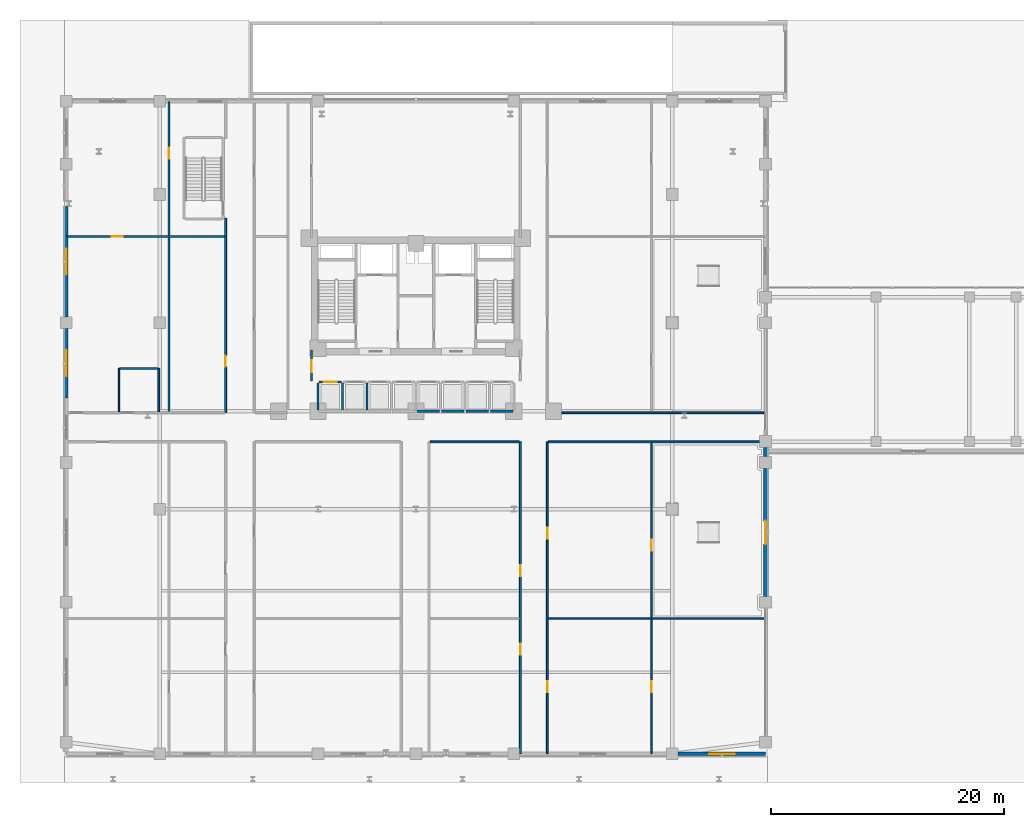
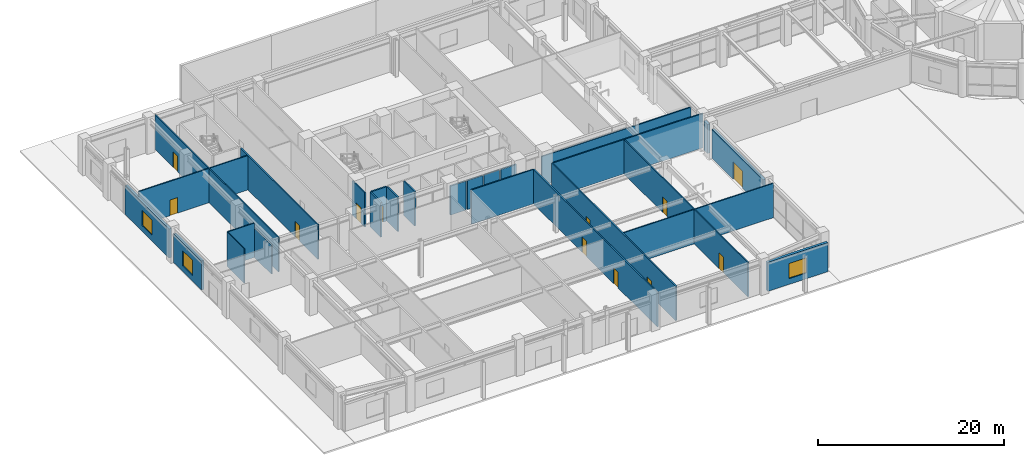
# One storey, part 24 of 40: 27 walls, 12 doors, 3 windows, 15 openings.
"""IFC4 building model written with IfcOpenShell, lengths in metres."""

from ifc_helpers import new_model, si_unit, derived_unit, direction, frame, frame_2d, origin, place, context, subcontext, project, spatial, rectangle, extrude, material, layer, layer_set, type_object, element, fill, save


model = new_model("IFC4")

# Units and contexts
model_context = context("Model", 3, precision=1e-05, world=origin(), true_north=direction((0.0, 1.0)))
body_context = subcontext(model_context, "Body", "Model", "MODEL_VIEW")
ifc_project = project(units=[si_unit("LENGTHUNIT", "METRE"), si_unit("AREAUNIT", "SQUARE_METRE"), si_unit("VOLUMEUNIT", "CUBIC_METRE"), si_unit("PLANEANGLEUNIT", "RADIAN"), si_unit("MASSUNIT", "GRAM", prefix="KILO"), derived_unit("THERMALTRANSMITTANCEUNIT", [(si_unit("POWERUNIT", "WATT"), 1), (si_unit("LENGTHUNIT", "METRE"), -2), (si_unit("THERMODYNAMICTEMPERATUREUNIT", "KELVIN"), -1)])], contexts=[model_context])

# Site, building, storey
site_placement = place(None, origin())
site = spatial("IfcSite", under=ifc_project, at=site_placement, CompositionType="ELEMENT")
building_placement = place(site_placement, origin())
building = spatial("IfcBuilding", under=site, at=building_placement, Name="Korsvarv Bourse and Concert Hall", CompositionType="ELEMENT")
storey_placement = place(building_placement, origin())
storey = spatial("IfcBuildingStorey", under=building, at=storey_placement, Name="L00", CompositionType="ELEMENT", Elevation=0.0)

# Wall, opening, window
ifc_material_1 = material(Name="Precast concrete C45/55 with granite and terracotta", Category="concrete")
ifc_layer_1 = layer(ifc_material_1, 0.320068359375)
ifc_layer_set_1 = layer_set([ifc_layer_1], Name="Precast concrete C45/55 with granite and terracotta")
wall_type_1 = type_object("IfcWallType", Name="WL-EXT-POD", PredefinedType="SOLIDWALL", material=ifc_layer_set_1)
wall_1_placement = place(storey_placement, frame((58.5048828125, 3.0, 0.0), z_axis=(0.0, 0.0, 1.0), x_axis=(1.0, 0.0, 0.0)))
wall_1 = element("IfcWall", 1, at=wall_1_placement, inside=storey, type_object=wall_type_1, Name="L00 terracotta exterior wall EW-L00-S6", PredefinedType="SOLIDWALL", context=body_context, shape_type="SweptSolid", body=[
    extrude(rectangle(XDim=7.4951171875, YDim=0.320068359375, at=frame_2d((3.74755859375, 0.0))), origin(), (0.0, 0.0, 1.0), 3.820068359375),
])
opening_1_placement = place(wall_1_placement, frame((2.6474609375, 0.0, 0.75)))
opening_1 = element("IfcOpeningElement", 2, at=opening_1_placement, cuts=wall_1, Name="Opening W-03", PredefinedType="OPENING", context=body_context, shape_type="SweptSolid", body=[
    extrude(rectangle(XDim=2.199951171875, YDim=2.0, at=frame_2d((1.10009765625, 1.0))), frame((0.0, 0.169921875, 0.0), z_axis=(0.0, -1.0, 0.0), x_axis=(1.0, 0.0, 0.0)), (0.0, 0.0, 1.0), 0.340087890625),
])
ifc_material_2 = material(Name="Thermally broken aluminium frame with triple low-E glass", Category="glass")
window_type = type_object("IfcWindowType", Name="WIN-POD1", PartitioningType="SINGLE_PANEL", PredefinedType="WINDOW", material=ifc_material_2)
window_1_placement = place(opening_1_placement, origin())
window_1 = element("IfcWindow", 3, at=window_1_placement, inside=storey, type_object=window_type, Name="L00 punched facade window W-03", OverallHeight=2.0, OverallWidth=2.199951171875, PartitioningType="SINGLE_PANEL", PredefinedType="WINDOW", context=body_context, shape_type="SweptSolid", body=[
    extrude(rectangle(XDim=2.199951171875, YDim=2.0, at=frame_2d((1.10009765625, 1.0))), frame((0.0, 0.030029296875, 0.0), z_axis=(0.0, -1.0, 0.0), x_axis=(1.0, 0.0, 0.0)), (0.0, 0.0, 1.0), 0.06005859375),
])
fill(opening_1, window_1)

wall_2_placement = place(storey_placement, frame((6.0, 33.5400390625, 0.0), z_axis=(0.0, 0.0, 1.0), x_axis=(0.0, 1.0, 0.0)))
wall_2 = element("IfcWall", 4, at=wall_2_placement, inside=storey, type_object=wall_type_1, Name="L00 terracotta exterior wall EW-L00-W4", PredefinedType="SOLIDWALL", context=body_context, shape_type="SweptSolid", body=[
    extrude(rectangle(XDim=5.955078125, YDim=0.320068359375, at=frame_2d((2.9775390625, 0.0))), origin(), (0.0, 0.0, 1.0), 3.820068359375),
])
opening_2_placement = place(wall_2_placement, frame((1.87744140625, 0.0, 0.75)))
opening_2 = element("IfcOpeningElement", 5, at=opening_2_placement, cuts=wall_2, Name="Opening W-03", PredefinedType="OPENING", context=body_context, shape_type="SweptSolid", body=[
    extrude(rectangle(XDim=2.199951171875, YDim=2.0, at=frame_2d((1.10009765625, 1.0))), frame((0.0, 0.169921875, 0.0), z_axis=(0.0, -1.0, 0.0), x_axis=(1.0, 0.0, 0.0)), (0.0, 0.0, 1.0), 0.340087890625),
])
window_2_placement = place(opening_2_placement, origin())
window_2 = element("IfcWindow", 6, at=window_2_placement, inside=storey, type_object=window_type, Name="L00 punched facade window W-03", OverallHeight=2.0, OverallWidth=2.199951171875, PartitioningType="SINGLE_PANEL", PredefinedType="WINDOW", context=body_context, shape_type="SweptSolid", body=[
    extrude(rectangle(XDim=2.199951171875, YDim=2.0, at=frame_2d((1.10009765625, 1.0))), frame((0.0, 0.030029296875, 0.0), z_axis=(0.0, -1.0, 0.0), x_axis=(1.0, 0.0, 0.0)), (0.0, 0.0, 1.0), 0.06005859375),
])
fill(opening_2, window_2)

wall_3_placement = place(storey_placement, frame((6.0, 40.5048828125, 0.0), z_axis=(0.0, 0.0, 1.0), x_axis=(0.0, 1.0, 0.0)))
wall_3 = element("IfcWall", 7, at=wall_3_placement, inside=storey, type_object=wall_type_1, Name="L00 terracotta exterior wall EW-L00-W5-1", PredefinedType="SOLIDWALL", context=body_context, shape_type="SweptSolid", body=[
    extrude(rectangle(XDim=9.47021484375, YDim=0.320068359375, at=frame_2d((4.735107421875, 0.0))), origin(), (0.0, 0.0, 1.0), 3.820068359375),
])
opening_3_placement = place(wall_3_placement, frame((3.635009765625, 0.0, 0.75)))
opening_3 = element("IfcOpeningElement", 8, at=opening_3_placement, cuts=wall_3, Name="Opening W-03", PredefinedType="OPENING", context=body_context, shape_type="SweptSolid", body=[
    extrude(rectangle(XDim=2.199951171875, YDim=2.0, at=frame_2d((1.10009765625, 1.0))), frame((0.0, 0.169921875, 0.0), z_axis=(0.0, -1.0, 0.0), x_axis=(1.0, 0.0, 0.0)), (0.0, 0.0, 1.0), 0.340087890625),
])
window_3_placement = place(opening_3_placement, origin())
window_3 = element("IfcWindow", 9, at=window_3_placement, inside=storey, type_object=window_type, Name="L00 punched facade window W-03", OverallHeight=2.0, OverallWidth=2.199951171875, PartitioningType="SINGLE_PANEL", PredefinedType="WINDOW", context=body_context, shape_type="SweptSolid", body=[
    extrude(rectangle(XDim=2.199951171875, YDim=2.0, at=frame_2d((1.10009765625, 1.0))), frame((0.0, 0.030029296875, 0.0), z_axis=(0.0, -1.0, 0.0), x_axis=(1.0, 0.0, 0.0)), (0.0, 0.0, 1.0), 0.06005859375),
])
fill(opening_3, window_3)

# Wall, opening, door
wall_4_placement = place(storey_placement, frame((66.0, 16.5048828125, 0.0), z_axis=(0.0, 0.0, 1.0), x_axis=(0.0, 1.0, 0.0)))
wall_4 = element("IfcWall", 10, at=wall_4_placement, inside=storey, type_object=wall_type_1, Name="L00 terracotta exterior wall EW-L00-E2-1", PredefinedType="SOLIDWALL", context=body_context, shape_type="SweptSolid", body=[
    extrude(rectangle(XDim=10.990234375, YDim=0.320068359375, at=frame_2d((5.4951171875, 0.0))), origin(), (0.0, 0.0, 1.0), 3.820068359375),
])
opening_4_placement = place(wall_4_placement, frame((4.4951171875, 0.0, 0.0)))
opening_4 = element("IfcOpeningElement", 11, at=opening_4_placement, cuts=wall_4, Name="Opening ED-01", PredefinedType="OPENING", context=body_context, shape_type="SweptSolid", body=[
    extrude(rectangle(XDim=2.0, YDim=2.25, at=frame_2d((1.0, 1.125))), frame((0.0, 0.169921875, 0.0), z_axis=(0.0, -1.0, 0.0), x_axis=(1.0, 0.0, 0.0)), (0.0, 0.0, 1.0), 0.340087890625),
])
ifc_material_3 = material(Name="Thermally broken anodised aluminium and laminated safety glass", Category="aluminium")
door_type_1 = type_object("IfcDoorType", Name="DR-EXT-EXIT", OperationType="DOUBLE_DOOR_SINGLE_SWING", PredefinedType="DOOR", material=ifc_material_3)
door_1_placement = place(opening_4_placement, frame((2.0, 0.0, 0.0), z_axis=(0.0, 0.0, 1.0), x_axis=(-1.0, 0.0, 0.0)))
door_1 = element("IfcDoor", 12, at=door_1_placement, inside=storey, type_object=door_type_1, Name="L00 East Public Plaza Final Exit Door E1", OperationType="DOUBLE_DOOR_SINGLE_SWING", OverallHeight=2.25, OverallWidth=2.0, PredefinedType="DOOR", context=body_context, shape_type="SweptSolid", body=[
    extrude(rectangle(XDim=2.0, YDim=2.25, at=frame_2d((1.0, 1.125))), frame((0.0, 0.02490234375, 0.0), z_axis=(0.0, -1.0, 0.0), x_axis=(1.0, 0.0, 0.0)), (0.0, 0.0, 1.0), 0.050048828125),
])
fill(opening_4, door_1)

# Wall
wall_5_placement = place(storey_placement, frame((66.0, 28.5048828125, 0.0), z_axis=(0.0, 0.0, 1.0), x_axis=(0.0, 1.0, 0.0)))
element("IfcWall", 13, at=wall_5_placement, inside=storey, type_object=wall_type_1, Name="L00 terracotta exterior wall EW-L00-E2-2", PredefinedType="SOLIDWALL", context=body_context, shape_type="SweptSolid", body=[
    extrude(rectangle(XDim=0.7900390625, YDim=0.320068359375, at=frame_2d((0.39501953125, 0.0))), origin(), (0.0, 0.0, 1.0), 3.820068359375),
])

# Wall, opening, door
ifc_material_4 = material(Name="Double-stud fire-rated acoustic partition", Category="gypsum")
ifc_layer_2 = layer(ifc_material_4, 0.159912109375)
ifc_layer_set_2 = layer_set([ifc_layer_2], Name="Double-stud fire-rated acoustic partition")
wall_type_2 = type_object("IfcWallType", Name="WL-INT-EI60", PredefinedType="PARTITIONING", material=ifc_layer_set_2)
wall_6_placement = place(storey_placement, frame((27.0400390625, 35.0, 0.0), z_axis=(0.0, 0.0, 1.0), x_axis=(0.0, 1.0, 0.0)))
wall_6 = element("IfcWall", 14, at=wall_6_placement, inside=storey, type_object=wall_type_2, Name="L00 interior partition wall W-L00-LOB-W", PredefinedType="PARTITIONING", context=body_context, shape_type="SweptSolid", body=[
    extrude(rectangle(XDim=2.64990234375, YDim=0.159912109375, at=frame_2d((1.324951171875, 0.0))), origin(), (0.0, 0.0, 1.0), 4.52001953125),
])
opening_5_placement = place(wall_6_placement, frame((0.75, 0.0, 0.0)))
opening_5 = element("IfcOpeningElement", 15, at=opening_5_placement, cuts=wall_6, Name="Opening D-01", PredefinedType="OPENING", context=body_context, shape_type="SweptSolid", body=[
    extrude(rectangle(XDim=1.050048828125, YDim=2.10009765625, at=frame_2d((0.52490234375, 1.050048828125))), frame((0.0, 0.08984375, 0.0), z_axis=(0.0, -1.0, 0.0), x_axis=(1.0, 0.0, 0.0)), (0.0, 0.0, 1.0), 0.179931640625),
])
ifc_material_5 = material(Name="Steel S355 fire door", Category="steel")
door_type_2 = type_object("IfcDoorType", Name="DR-FD60", OperationType="NOTDEFINED", PredefinedType="DOOR", material=ifc_material_5)
door_2_placement = place(opening_5_placement, frame((1.050048828125, 0.0, 0.0), z_axis=(0.0, 0.0, 1.0), x_axis=(-1.0, 0.0, 0.0)))
door_2 = element("IfcDoor", 16, at=door_2_placement, inside=storey, type_object=door_type_2, Name="L00 interior door DR-L00-LOBW", OperationType="SINGLE_SWING_LEFT", OverallHeight=2.10009765625, OverallWidth=1.050048828125, PredefinedType="DOOR", context=body_context, shape_type="SweptSolid", body=[
    extrude(rectangle(XDim=1.050048828125, YDim=2.10009765625, at=frame_2d((0.52490234375, 1.050048828125))), frame((0.0, 0.02490234375, 0.0), z_axis=(0.0, -1.0, 0.0), x_axis=(1.0, 0.0, 0.0)), (0.0, 0.0, 1.0), 0.050048828125),
])
fill(opening_5, door_2)

# Wall, openings, doors
wall_7_placement = place(storey_placement, frame((47.27490234375, 3.02001953125, 0.0), z_axis=(0.0, 0.0, 1.0), x_axis=(0.0, 1.0, 0.0)))
wall_7 = element("IfcWall", 17, at=wall_7_placement, inside=storey, type_object=wall_type_2, Name="L00 interior partition wall W-L00-PCOR-01", PredefinedType="PARTITIONING", context=body_context, shape_type="SweptSolid", body=[
    extrude(rectangle(XDim=26.760009765625, YDim=0.159912109375, at=frame_2d((13.3798828125, 0.0))), origin(), (0.0, 0.0, 1.0), 4.52001953125),
])
opening_6_placement = place(wall_7_placement, frame((5.2626953125, 0.0, 0.0)))
opening_6 = element("IfcOpeningElement", 18, at=opening_6_placement, cuts=wall_7, Name="Opening D-02", PredefinedType="OPENING", context=body_context, shape_type="SweptSolid", body=[
    extrude(rectangle(XDim=0.949951171875, YDim=2.050048828125, at=frame_2d((0.47509765625, 1.02490234375))), frame((0.0, 0.08984375, 0.0), z_axis=(0.0, -1.0, 0.0), x_axis=(1.0, 0.0, 0.0)), (0.0, 0.0, 1.0), 0.179931640625),
])
opening_7_placement = place(wall_7_placement, frame((18.42578125, 0.0, 0.0)))
opening_7 = element("IfcOpeningElement", 19, at=opening_7_placement, cuts=wall_7, Name="Opening D-02", PredefinedType="OPENING", context=body_context, shape_type="SweptSolid", body=[
    extrude(rectangle(XDim=0.949951171875, YDim=2.050048828125, at=frame_2d((0.47509765625, 1.02490234375))), frame((0.0, 0.08984375, 0.0), z_axis=(0.0, -1.0, 0.0), x_axis=(1.0, 0.0, 0.0)), (0.0, 0.0, 1.0), 0.179931640625),
])
ifc_material_6 = material(Name="Timber and steel acoustic fire door", Category="wood")
door_type_3 = type_object("IfcDoorType", Name="DR-FD30", OperationType="NOTDEFINED", PredefinedType="DOOR", material=ifc_material_6)
door_3_placement = place(opening_6_placement, origin())
door_3 = element("IfcDoor", 20, at=door_3_placement, inside=storey, type_object=door_type_3, Name="L00 interior door DR-L00-PCOR-RM11", OperationType="SINGLE_SWING_LEFT", OverallHeight=2.050048828125, OverallWidth=0.949951171875, PredefinedType="DOOR", context=body_context, shape_type="SweptSolid", body=[
    extrude(rectangle(XDim=0.949951171875, YDim=2.050048828125, at=frame_2d((0.47509765625, 1.02490234375))), frame((0.0, 0.02490234375, 0.0), z_axis=(0.0, -1.0, 0.0), x_axis=(1.0, 0.0, 0.0)), (0.0, 0.0, 1.0), 0.050048828125),
])
fill(opening_6, door_3)
door_4_placement = place(opening_7_placement, origin())
door_4 = element("IfcDoor", 21, at=door_4_placement, inside=storey, type_object=door_type_3, Name="L00 interior door DR-L00-PCOR-RM22", OperationType="SINGLE_SWING_RIGHT", OverallHeight=2.050048828125, OverallWidth=0.949951171875, PredefinedType="DOOR", context=body_context, shape_type="SweptSolid", body=[
    extrude(rectangle(XDim=0.949951171875, YDim=2.050048828125, at=frame_2d((0.47509765625, 1.02490234375))), frame((0.0, 0.02490234375, 0.0), z_axis=(0.0, -1.0, 0.0), x_axis=(1.0, 0.0, 0.0)), (0.0, 0.0, 1.0), 0.050048828125),
])
fill(opening_7, door_4)

wall_8_placement = place(storey_placement, frame((44.965087890625, 3.02001953125, 0.0), z_axis=(0.0, 0.0, 1.0), x_axis=(0.0, 1.0, 0.0)))
wall_8 = element("IfcWall", 22, at=wall_8_placement, inside=storey, type_object=wall_type_2, Name="L00 interior partition wall W-L00-PCOR-02", PredefinedType="PARTITIONING", context=body_context, shape_type="SweptSolid", body=[
    extrude(rectangle(XDim=26.760009765625, YDim=0.159912109375, at=frame_2d((13.3798828125, 0.0))), origin(), (0.0, 0.0, 1.0), 4.52001953125),
])
opening_8_placement = place(wall_8_placement, frame((8.486083984375, 0.0, 0.0)))
opening_8 = element("IfcOpeningElement", 23, at=opening_8_placement, cuts=wall_8, Name="Opening D-02", PredefinedType="OPENING", context=body_context, shape_type="SweptSolid", body=[
    extrude(rectangle(XDim=0.949951171875, YDim=2.050048828125, at=frame_2d((0.47509765625, 1.02490234375))), frame((0.0, 0.08984375, 0.0), z_axis=(0.0, -1.0, 0.0), x_axis=(1.0, 0.0, 0.0)), (0.0, 0.0, 1.0), 0.179931640625),
])
opening_9_placement = place(wall_8_placement, frame((15.215087890625, 0.0, 0.0)))
opening_9 = element("IfcOpeningElement", 24, at=opening_9_placement, cuts=wall_8, Name="Opening D-02", PredefinedType="OPENING", context=body_context, shape_type="SweptSolid", body=[
    extrude(rectangle(XDim=0.949951171875, YDim=2.050048828125, at=frame_2d((0.47509765625, 1.02490234375))), frame((0.0, 0.08984375, 0.0), z_axis=(0.0, -1.0, 0.0), x_axis=(1.0, 0.0, 0.0)), (0.0, 0.0, 1.0), 0.179931640625),
])
door_5_placement = place(opening_8_placement, origin())
door_5 = element("IfcDoor", 25, at=door_5_placement, inside=storey, type_object=door_type_3, Name="L00 interior door DR-L00-PCOR-RM99", OperationType="SINGLE_SWING_LEFT", OverallHeight=2.050048828125, OverallWidth=0.949951171875, PredefinedType="DOOR", context=body_context, shape_type="SweptSolid", body=[
    extrude(rectangle(XDim=0.949951171875, YDim=2.050048828125, at=frame_2d((0.47509765625, 1.02490234375))), frame((0.0, 0.02490234375, 0.0), z_axis=(0.0, -1.0, 0.0), x_axis=(1.0, 0.0, 0.0)), (0.0, 0.0, 1.0), 0.050048828125),
])
fill(opening_8, door_5)
door_6_placement = place(opening_9_placement, origin())
door_6 = element("IfcDoor", 26, at=door_6_placement, inside=storey, type_object=door_type_3, Name="L00 interior door DR-L00-PCOR-CONC10", OperationType="SINGLE_SWING_RIGHT", OverallHeight=2.050048828125, OverallWidth=0.949951171875, PredefinedType="DOOR", context=body_context, shape_type="SweptSolid", body=[
    extrude(rectangle(XDim=0.949951171875, YDim=2.050048828125, at=frame_2d((0.47509765625, 1.02490234375))), frame((0.0, 0.02490234375, 0.0), z_axis=(0.0, -1.0, 0.0), x_axis=(1.0, 0.0, 0.0)), (0.0, 0.0, 1.0), 0.050048828125),
])
fill(opening_9, door_6)

# Walls
wall_9_placement = place(storey_placement, frame((47.35693359375, 29.77490234375, 0.0), z_axis=(0.0, 0.0, 1.0), x_axis=(1.0, 0.0, 0.0)))
element("IfcWall", 27, at=wall_9_placement, inside=storey, type_object=wall_type_2, Name="L00 interior partition wall W-L00-PCOR-10", PredefinedType="PARTITIONING", context=body_context, shape_type="SweptSolid", body=[
    extrude(rectangle(XDim=18.623046875, YDim=0.159912109375, at=frame_2d((9.3115234375, 0.0))), origin(), (0.0, 0.0, 1.0), 4.52001953125),
])
wall_10_placement = place(storey_placement, frame((47.35693359375, 32.27490234375, 0.0), z_axis=(0.0, 0.0, 1.0), x_axis=(1.0, 0.0, 0.0)))
element("IfcWall", 28, at=wall_10_placement, inside=storey, type_object=wall_type_2, Name="L00 interior partition wall W-L00-PCOR-11", PredefinedType="PARTITIONING", context=body_context, shape_type="SweptSolid", body=[
    extrude(rectangle(XDim=18.56103515625, YDim=0.159912109375, at=frame_2d((9.280517578125, 0.0))), origin(), (0.0, 0.0, 1.0), 3.820068359375),
])

# Wall, opening, door
wall_11_placement = place(storey_placement, frame((19.6650390625, 32.27001953125, 0.0), z_axis=(0.0, 0.0, 1.0), x_axis=(0.0, 1.0, 0.0)))
wall_11 = element("IfcWall", 29, at=wall_11_placement, inside=storey, type_object=wall_type_2, Name="L00 interior partition wall W-L00-PCOR-12", PredefinedType="PARTITIONING", context=body_context, shape_type="SweptSolid", body=[
    extrude(rectangle(XDim=16.7099609375, YDim=0.159912109375, at=frame_2d((8.35498046875, 0.0))), origin(), (0.0, 0.0, 1.0), 4.52001953125),
])
opening_10_placement = place(wall_11_placement, frame((3.94580078125, 0.0, 0.0)))
opening_10 = element("IfcOpeningElement", 30, at=opening_10_placement, cuts=wall_11, Name="Opening D-02", PredefinedType="OPENING", context=body_context, shape_type="SweptSolid", body=[
    extrude(rectangle(XDim=0.949951171875, YDim=2.050048828125, at=frame_2d((0.47509765625, 1.02490234375))), frame((0.0, 0.08984375, 0.0), z_axis=(0.0, -1.0, 0.0), x_axis=(1.0, 0.0, 0.0)), (0.0, 0.0, 1.0), 0.179931640625),
])
door_7_placement = place(opening_10_placement, origin())
door_7 = element("IfcDoor", 31, at=door_7_placement, inside=storey, type_object=door_type_3, Name="L00 interior door DR-L00-PCOR-RM2222", OperationType="SINGLE_SWING_LEFT", OverallHeight=2.050048828125, OverallWidth=0.949951171875, PredefinedType="DOOR", context=body_context, shape_type="SweptSolid", body=[
    extrude(rectangle(XDim=0.949951171875, YDim=2.050048828125, at=frame_2d((0.47509765625, 1.02490234375))), frame((0.0, 0.02490234375, 0.0), z_axis=(0.0, -1.0, 0.0), x_axis=(1.0, 0.0, 0.0)), (0.0, 0.0, 1.0), 0.050048828125),
])
fill(opening_10, door_7)

# Wall
wall_12_placement = place(storey_placement, frame((37.20703125, 29.77490234375, 0.0), z_axis=(0.0, 0.0, 1.0), x_axis=(1.0, 0.0, 0.0)))
element("IfcWall", 32, at=wall_12_placement, inside=storey, type_object=wall_type_2, Name="L00 interior partition wall W-L00-PCOR-18", PredefinedType="PARTITIONING", context=body_context, shape_type="SweptSolid", body=[
    extrude(rectangle(XDim=7.676025390625, YDim=0.159912109375, at=frame_2d((3.837890625, 0.0))), origin(), (0.0, 0.0, 1.0), 4.52001953125),
])

# Wall, opening, door
ifc_material_7 = material(Name="Gypsum-clad autoclaved concrete shaft wall C30/37", Category="concrete")
ifc_layer_3 = layer(ifc_material_7, 0.179931640625)
ifc_layer_set_3 = layer_set([ifc_layer_3], Name="Gypsum-clad autoclaved concrete shaft wall C30/37")
wall_type_3 = type_object("IfcWallType", Name="WL-INT-EI90", PredefinedType="PARTITIONING", material=ifc_layer_set_3)
wall_13_placement = place(storey_placement, frame((27.68994140625, 34.89990234375, 0.0), z_axis=(0.0, 0.0, 1.0), x_axis=(1.0, 0.0, 0.0)))
wall_13 = element("IfcWall", 33, at=wall_13_placement, inside=storey, type_object=wall_type_3, Name="L00 interior partition wall W-L00-SHFN-PL1", PredefinedType="PARTITIONING", context=body_context, shape_type="SweptSolid", body=[
    extrude(rectangle(XDim=1.920166015625, YDim=0.179931640625, at=frame_2d((0.9599609375, 0.0))), origin(), (0.0, 0.0, 1.0), 4.52001953125),
])
opening_11_placement = place(wall_13_placement, frame((0.409912109375, 0.0, 0.0)))
opening_11 = element("IfcOpeningElement", 34, at=opening_11_placement, cuts=wall_13, Name="Opening LD-2", PredefinedType="OPENING", context=body_context, shape_type="SweptSolid", body=[
    extrude(rectangle(XDim=1.10009765625, YDim=2.10009765625, at=frame_2d((0.550048828125, 1.050048828125))), frame((0.0, 0.10009765625, 0.0), z_axis=(0.0, -1.0, 0.0), x_axis=(1.0, 0.0, 0.0)), (0.0, 0.0, 1.0), 0.199951171875),
])
ifc_material_8 = material(Name="Brushed stainless Steel S355 lift landing door", Category="steel")
door_type_4 = type_object("IfcDoorType", Name="DR-LIFT-P", OperationType="DOUBLE_DOOR_SLIDING", PredefinedType="DOOR", material=ifc_material_8)
door_8_placement = place(opening_11_placement, origin())
door_8 = element("IfcDoor", 35, at=door_8_placement, inside=storey, type_object=door_type_4, Name="L00 lift sliding landing door LD-L00-PL1", OperationType="DOUBLE_DOOR_SLIDING", OverallHeight=2.10009765625, OverallWidth=1.10009765625, PredefinedType="DOOR", context=body_context, shape_type="SweptSolid", body=[
    extrude(rectangle(XDim=1.10009765625, YDim=2.10009765625, at=frame_2d((0.550048828125, 1.050048828125))), frame((0.0, 0.02490234375, 0.0), z_axis=(0.0, -1.0, 0.0), x_axis=(1.0, 0.0, 0.0)), (0.0, 0.0, 1.0), 0.050048828125),
])
fill(opening_11, door_8)

# Walls
for number, where, z_axis, x_axis, name in (
    (36, (27.60009765625, 32.489990234375, 0.0), (0.0, 0.0, 1.0), (0.0, 1.0, 0.0), "L00 interior partition wall W-L00-SHFW-PL1"),
    (37, (29.699951171875, 32.489990234375, 0.0), (0.0, 0.0, 1.0), (0.0, 1.0, 0.0), "L00 interior partition wall W-L00-SHFW-PL2"),
    (38, (31.800048828125, 32.489990234375, 0.0), (0.0, 0.0, 1.0), (0.0, 1.0, 0.0), "L00 interior partition wall W-L00-SHFW-PM1"),
):
    element("IfcWall", number, at=place(storey_placement, frame(where, z_axis=z_axis, x_axis=x_axis)), inside=storey, type_object=wall_type_3, Name=name, PredefinedType="PARTITIONING", context=body_context, shape_type="SweptSolid", body=[
        extrude(rectangle(XDim=2.320068359375, YDim=0.179931640625, at=frame_2d((1.16015625, 0.0))), origin(), (0.0, 0.0, 1.0), 4.52001953125),
    ])
wall_14_placement = place(storey_placement, frame((36.090087890625, 32.39990234375, 0.0), z_axis=(0.0, 0.0, 1.0), x_axis=(1.0, 0.0, 0.0)))
element("IfcWall", 39, at=wall_14_placement, inside=storey, type_object=wall_type_3, Name="L00 interior partition wall W-L00-SHFS-PH1", PredefinedType="PARTITIONING", context=body_context, shape_type="SweptSolid", body=[
    extrude(rectangle(XDim=1.919921875, YDim=0.179931640625, at=frame_2d((0.9599609375, 0.0))), origin(), (0.0, 0.0, 1.0), 3.820068359375),
])
wall_15_placement = place(storey_placement, frame((38.18994140625, 32.39990234375, 0.0), z_axis=(0.0, 0.0, 1.0), x_axis=(1.0, 0.0, 0.0)))
element("IfcWall", 40, at=wall_15_placement, inside=storey, type_object=wall_type_3, Name="L00 interior partition wall W-L00-SHFS-PH2", PredefinedType="PARTITIONING", context=body_context, shape_type="SweptSolid", body=[
    extrude(rectangle(XDim=1.920166015625, YDim=0.179931640625, at=frame_2d((0.9599609375, 0.0))), origin(), (0.0, 0.0, 1.0), 3.820068359375),
])
wall_16_placement = place(storey_placement, frame((40.2900390625, 32.39990234375, 0.0), z_axis=(0.0, 0.0, 1.0), x_axis=(1.0, 0.0, 0.0)))
element("IfcWall", 41, at=wall_16_placement, inside=storey, type_object=wall_type_3, Name="L00 interior partition wall W-L00-SHFS-PO1", PredefinedType="PARTITIONING", context=body_context, shape_type="SweptSolid", body=[
    extrude(rectangle(XDim=1.919921875, YDim=0.179931640625, at=frame_2d((0.9599609375, 0.0))), origin(), (0.0, 0.0, 1.0), 3.820068359375),
])
wall_17_placement = place(storey_placement, frame((42.389892578125, 32.39990234375, 0.0), z_axis=(0.0, 0.0, 1.0), x_axis=(1.0, 0.0, 0.0)))
element("IfcWall", 42, at=wall_17_placement, inside=storey, type_object=wall_type_3, Name="L00 interior partition wall W-L00-SHFS-PO2", PredefinedType="PARTITIONING", context=body_context, shape_type="SweptSolid", body=[
    extrude(rectangle(XDim=1.920166015625, YDim=0.179931640625, at=frame_2d((0.9599609375, 0.0))), origin(), (0.0, 0.0, 1.0), 3.820068359375),
])
ifc_material_9 = material(Name="Demountable acoustic glass and aluminium dealing partition", Category="aluminium")
ifc_layer_4 = layer(ifc_material_9, 0.110107421875)
ifc_layer_set_4 = layer_set([ifc_layer_4], Name="Demountable acoustic glass and aluminium dealing partition")
wall_type_4 = type_object("IfcWallType", Name="WL-INT-MOV", PredefinedType="MOVABLE", material=ifc_layer_set_4)
wall_18_placement = place(storey_placement, frame((10.52490234375, 32.35693359375, 0.0), z_axis=(0.0, 0.0, 1.0), x_axis=(0.0, 1.0, 0.0)))
element("IfcWall", 43, at=wall_18_placement, inside=storey, type_object=wall_type_4, Name="L00 interior partition wall W-L00-PCOR-31", PredefinedType="MOVABLE", context=body_context, shape_type="SweptSolid", body=[
    extrude(rectangle(XDim=3.72314453125, YDim=0.110107421875, at=frame_2d((1.861572265625, 0.0))), origin(), (0.0, 0.0, 1.0), 4.52001953125),
])

# Wall, openings, doors
ifc_material_10 = material(Name="Insulated steel-stud office acoustic partition", Category="gypsum")
ifc_layer_5 = layer(ifc_material_10, 0.139892578125)
ifc_layer_set_5 = layer_set([ifc_layer_5], Name="Insulated steel-stud office acoustic partition")
wall_type_5 = type_object("IfcWallType", Name="WL-INT-P1", PredefinedType="PARTITIONING", material=ifc_layer_set_5)
wall_19_placement = place(storey_placement, frame((56.205078125, 3.02001953125, 0.0), z_axis=(0.0, 0.0, 1.0), x_axis=(0.0, 1.0, 0.0)))
wall_19 = element("IfcWall", 44, at=wall_19_placement, inside=storey, type_object=wall_type_5, Name="L00 interior partition wall W-L00-PCOR-21", PredefinedType="PARTITIONING", context=body_context, shape_type="SweptSolid", body=[
    extrude(rectangle(XDim=26.673095703125, YDim=0.139892578125, at=frame_2d((13.33642578125, 0.0))), origin(), (0.0, 0.0, 1.0), 4.52001953125),
])
opening_12_placement = place(wall_19_placement, frame((5.2626953125, 0.0, 0.0)))
opening_12 = element("IfcOpeningElement", 45, at=opening_12_placement, cuts=wall_19, Name="Opening D-03", PredefinedType="OPENING", context=body_context, shape_type="SweptSolid", body=[
    extrude(rectangle(XDim=0.949951171875, YDim=2.050048828125, at=frame_2d((0.47509765625, 1.02490234375))), frame((0.0, 0.080078125, 0.0), z_axis=(0.0, -1.0, 0.0), x_axis=(1.0, 0.0, 0.0)), (0.0, 0.0, 1.0), 0.159912109375),
])
opening_13_placement = place(wall_19_placement, frame((17.408203125, 0.0, 0.0)))
opening_13 = element("IfcOpeningElement", 46, at=opening_13_placement, cuts=wall_19, Name="Opening D-03", PredefinedType="OPENING", context=body_context, shape_type="SweptSolid", body=[
    extrude(rectangle(XDim=0.949951171875, YDim=2.050048828125, at=frame_2d((0.47509765625, 1.02490234375))), frame((0.0, 0.080078125, 0.0), z_axis=(0.0, -1.0, 0.0), x_axis=(1.0, 0.0, 0.0)), (0.0, 0.0, 1.0), 0.159912109375),
])
ifc_material_11 = material(Name="Nordic oak acoustic office door", Category="wood")
door_type_5 = type_object("IfcDoorType", Name="DR-INT-1", OperationType="NOTDEFINED", PredefinedType="DOOR", material=ifc_material_11)
door_9_placement = place(opening_12_placement, origin())
door_9 = element("IfcDoor", 47, at=door_9_placement, inside=storey, type_object=door_type_5, Name="L00 interior door DR-L00-PCOR-RM33", OperationType="SINGLE_SWING_RIGHT", OverallHeight=2.050048828125, OverallWidth=0.949951171875, PredefinedType="DOOR", context=body_context, shape_type="SweptSolid", body=[
    extrude(rectangle(XDim=0.949951171875, YDim=2.050048828125, at=frame_2d((0.47509765625, 1.02490234375))), frame((0.0, 0.02490234375, 0.0), z_axis=(0.0, -1.0, 0.0), x_axis=(1.0, 0.0, 0.0)), (0.0, 0.0, 1.0), 0.050048828125),
])
fill(opening_12, door_9)
door_10_placement = place(opening_13_placement, origin())
door_10 = element("IfcDoor", 48, at=door_10_placement, inside=storey, type_object=door_type_5, Name="L00 interior door DR-L00-PCOR-CAFE4", OperationType="SINGLE_SWING_LEFT", OverallHeight=2.050048828125, OverallWidth=0.949951171875, PredefinedType="DOOR", context=body_context, shape_type="SweptSolid", body=[
    extrude(rectangle(XDim=0.949951171875, YDim=2.050048828125, at=frame_2d((0.47509765625, 1.02490234375))), frame((0.0, 0.02490234375, 0.0), z_axis=(0.0, -1.0, 0.0), x_axis=(1.0, 0.0, 0.0)), (0.0, 0.0, 1.0), 0.050048828125),
])
fill(opening_13, door_10)

# Wall, opening, door
wall_20_placement = place(storey_placement, frame((14.804931640625, 32.35693359375, 0.0), z_axis=(0.0, 0.0, 1.0), x_axis=(0.0, 1.0, 0.0)))
wall_20 = element("IfcWall", 49, at=wall_20_placement, inside=storey, type_object=wall_type_5, Name="L00 interior partition wall W-L00-PCOR-24", PredefinedType="PARTITIONING", context=body_context, shape_type="SweptSolid", body=[
    extrude(rectangle(XDim=26.623046875, YDim=0.139892578125, at=frame_2d((13.3115234375, 0.0))), origin(), (0.0, 0.0, 1.0), 4.52001953125),
])
opening_14_placement = place(wall_20_placement, frame((21.69970703125, 0.0, 0.0)))
opening_14 = element("IfcOpeningElement", 50, at=opening_14_placement, cuts=wall_20, Name="Opening D-03", PredefinedType="OPENING", context=body_context, shape_type="SweptSolid", body=[
    extrude(rectangle(XDim=0.949951171875, YDim=2.050048828125, at=frame_2d((0.47509765625, 1.02490234375))), frame((0.0, 0.080078125, 0.0), z_axis=(0.0, -1.0, 0.0), x_axis=(1.0, 0.0, 0.0)), (0.0, 0.0, 1.0), 0.159912109375),
])
door_11_placement = place(opening_14_placement, origin())
door_11 = element("IfcDoor", 51, at=door_11_placement, inside=storey, type_object=door_type_5, Name="L00 interior door DR-L00-PCOR-RM2323", OperationType="SINGLE_SWING_LEFT", OverallHeight=2.050048828125, OverallWidth=0.949951171875, PredefinedType="DOOR", context=body_context, shape_type="SweptSolid", body=[
    extrude(rectangle(XDim=0.949951171875, YDim=2.050048828125, at=frame_2d((0.47509765625, 1.02490234375))), frame((0.0, 0.02490234375, 0.0), z_axis=(0.0, -1.0, 0.0), x_axis=(1.0, 0.0, 0.0)), (0.0, 0.0, 1.0), 0.050048828125),
])
fill(opening_14, door_11)

# Wall
wall_21_placement = place(storey_placement, frame((47.35693359375, 14.60498046875, 0.0), z_axis=(0.0, 0.0, 1.0), x_axis=(1.0, 0.0, 0.0)))
element("IfcWall", 52, at=wall_21_placement, inside=storey, type_object=wall_type_5, Name="L00 interior partition wall W-L00-PCOR-25", PredefinedType="PARTITIONING", context=body_context, shape_type="SweptSolid", body=[
    extrude(rectangle(XDim=18.623046875, YDim=0.139892578125, at=frame_2d((9.3115234375, 0.0))), origin(), (0.0, 0.0, 1.0), 4.52001953125),
])

# Wall, opening, door
wall_22_placement = place(storey_placement, frame((6.02001953125, 47.405029296875, 0.0), z_axis=(0.0, 0.0, 1.0), x_axis=(1.0, 0.0, 0.0)))
wall_22 = element("IfcWall", 53, at=wall_22_placement, inside=storey, type_object=wall_type_5, Name="L00 interior partition wall W-L00-PCOR-28", PredefinedType="PARTITIONING", context=body_context, shape_type="SweptSolid", body=[
    extrude(rectangle(XDim=13.56298828125, YDim=0.139892578125, at=frame_2d((6.781494140625, 0.0))), origin(), (0.0, 0.0, 1.0), 4.52001953125),
])
opening_15_placement = place(wall_22_placement, frame((3.86572265625, 0.0, 0.0)))
opening_15 = element("IfcOpeningElement", 54, at=opening_15_placement, cuts=wall_22, Name="Opening D-03", PredefinedType="OPENING", context=body_context, shape_type="SweptSolid", body=[
    extrude(rectangle(XDim=0.949951171875, YDim=2.050048828125, at=frame_2d((0.47509765625, 1.02490234375))), frame((0.0, 0.080078125, 0.0), z_axis=(0.0, -1.0, 0.0), x_axis=(1.0, 0.0, 0.0)), (0.0, 0.0, 1.0), 0.159912109375),
])
door_12_placement = place(opening_15_placement, origin())
door_12 = element("IfcDoor", 55, at=door_12_placement, inside=storey, type_object=door_type_5, Name="L00 interior door DR-L00-PCOR-WC21", OperationType="SINGLE_SWING_RIGHT", OverallHeight=2.050048828125, OverallWidth=0.949951171875, PredefinedType="DOOR", context=body_context, shape_type="SweptSolid", body=[
    extrude(rectangle(XDim=0.949951171875, YDim=2.050048828125, at=frame_2d((0.47509765625, 1.02490234375))), frame((0.0, 0.02490234375, 0.0), z_axis=(0.0, -1.0, 0.0), x_axis=(1.0, 0.0, 0.0)), (0.0, 0.0, 1.0), 0.050048828125),
])
fill(opening_15, door_12)

# Walls
wall_23_placement = place(storey_placement, frame((13.925048828125, 32.35693359375, 0.0), z_axis=(0.0, 0.0, 1.0), x_axis=(0.0, 1.0, 0.0)))
element("IfcWall", 56, at=wall_23_placement, inside=storey, type_object=wall_type_5, Name="L00 interior partition wall W-L00-PCOR-32", PredefinedType="PARTITIONING", context=body_context, shape_type="SweptSolid", body=[
    extrude(rectangle(XDim=3.72314453125, YDim=0.139892578125, at=frame_2d((1.861572265625, 0.0))), origin(), (0.0, 0.0, 1.0), 3.820068359375),
])
wall_24_placement = place(storey_placement, frame((10.596923828125, 36.074951171875, 0.0), z_axis=(0.0, 0.0, 1.0), x_axis=(1.0, 0.0, 0.0)))
element("IfcWall", 57, at=wall_24_placement, inside=storey, type_object=wall_type_5, Name="L00 interior partition wall W-L00-PCOR-33", PredefinedType="PARTITIONING", context=body_context, shape_type="SweptSolid", body=[
    extrude(rectangle(XDim=3.256103515625, YDim=0.139892578125, at=frame_2d((1.6279296875, 0.0))), origin(), (0.0, 0.0, 1.0), 4.52001953125),
])

save(model, "model.ifc")
